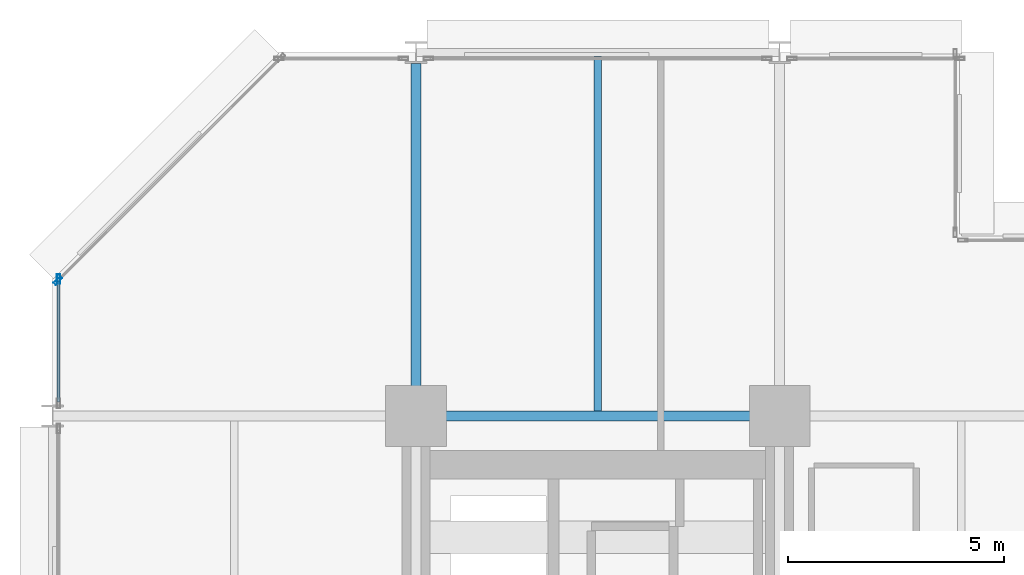
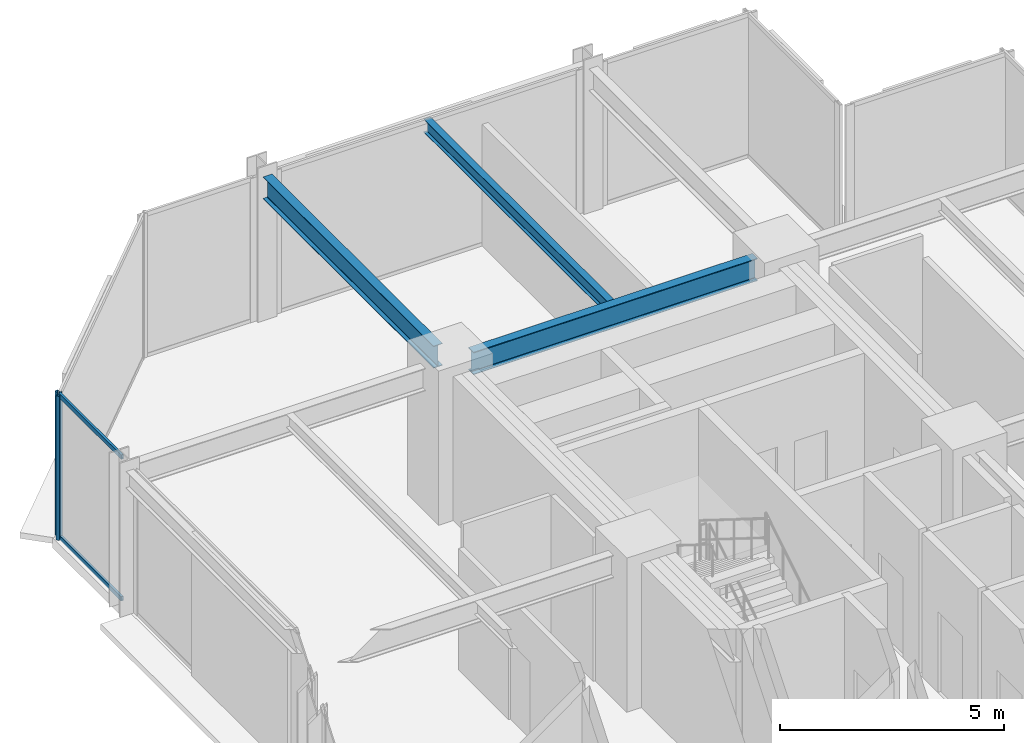
# One storey, part 15 of 25: 4 members, 3 beams, 2 elements without a shape of their own.
"""IFC4 building model written with IfcOpenShell, lengths in metres."""

import ifcopenshell
import ifcopenshell.guid

model = None  # the IFC model being written
_history = None  # IfcOwnerHistory: only IFC2X3 demands one
_inside = {}  # id of a spatial element -> (the spatial element, [elements in it])
_under = {}  # id of a project, library or spatial element -> (it, [spatial elements below it])
_declared = {}  # id of a project -> (the project, [libraries it declares])
_typed = {}  # id of a type object -> (the type object, [elements of that type])
_made_of = {}  # id of a material, layer set ... -> (it, [elements and type objects made of it])


def new_model(schema):
    """Start an empty IFC model of exactly this schema.

    Asked for "IFC4X3", IfcOpenShell would pick the latest addendum, in which some entities
    have other attributes; the version numbers below select the first issue.
    IFC2X3 requires an IfcOwnerHistory on every rooted entity: one is made here for all.
    """
    global model, _history
    if schema == "IFC4X3":
        model = ifcopenshell.file(schema_version=(4, 3, 0, 0))
    else:
        model = ifcopenshell.file(schema=schema)
    _inside.clear()
    _under.clear()
    _declared.clear()
    _typed.clear()
    _made_of.clear()
    _history = None
    if model.schema == "IFC2X3":
        org = make("IfcOrganization", Name="unknown")
        user = make(
            "IfcPersonAndOrganization",
            ThePerson=make("IfcPerson", FamilyName="unknown"),
            TheOrganization=org,
        )
        app = make(
            "IfcApplication",
            ApplicationDeveloper=org,
            Version="unknown",
            ApplicationFullName="unknown",
            ApplicationIdentifier="unknown",
        )
        _history = make(
            "IfcOwnerHistory",
            OwningUser=user,
            OwningApplication=app,
            ChangeAction="ADDED",
            CreationDate=0,
        )
    return model


def make(cls, **values):
    """One entity of the class cls with the attributes given. An attribute that is None is left unset."""
    return model.create_entity(
        cls, **{name: value for name, value in values.items() if value is not None}
    )


def rooted(cls, **values):
    """An entity with a GlobalId (a new one), such as an element, a storey or a relation."""
    return make(cls, GlobalId=ifcopenshell.guid.new(), OwnerHistory=_history, **values)


def si_unit(unit_type, name, prefix=None):
    """IfcSIUnit, for example si_unit("LENGTHUNIT", "METRE", prefix="MILLI")."""
    return make("IfcSIUnit", UnitType=unit_type, Prefix=prefix, Name=name)


def assignment(units):
    """IfcUnitAssignment: the units of a project."""
    return None if units is None else make("IfcUnitAssignment", Units=units)


def point(xyz):
    """IfcCartesianPoint."""
    return None if xyz is None else make("IfcCartesianPoint", Coordinates=xyz)


def direction(xyz):
    """IfcDirection."""
    return None if xyz is None else make("IfcDirection", DirectionRatios=xyz)


def frame(location, z_axis=None, x_axis=None):
    """IfcAxis2Placement3D, a coordinate frame: its origin and axes. An axis left out is left unset."""
    return make(
        "IfcAxis2Placement3D",
        Location=point(location),
        Axis=direction(z_axis),
        RefDirection=direction(x_axis),
    )


def frame_2d(location, x_axis=None):
    """IfcAxis2Placement2D, a coordinate frame in the plane: its origin and x axis."""
    return make(
        "IfcAxis2Placement2D", Location=point(location), RefDirection=direction(x_axis)
    )


def origin():
    """The frame at (0, 0, 0) with its axes left unset."""
    return frame((0.0, 0.0, 0.0))


def origin_2d():
    """The frame at (0, 0) in the plane with its x axis left unset."""
    return frame_2d((0.0, 0.0))


def place(relative_to, where):
    """IfcLocalPlacement: puts the frame where relative to a parent placement (None: the world)."""
    return make(
        "IfcLocalPlacement", PlacementRelTo=relative_to, RelativePlacement=where
    )


def context(
    kind, dimensions, precision=None, world=None, true_north=None, identifier=None
):
    """IfcGeometricRepresentationContext, for example the 3D "Model" context."""
    return make(
        "IfcGeometricRepresentationContext",
        ContextIdentifier=identifier,
        ContextType=kind,
        CoordinateSpaceDimension=dimensions,
        Precision=precision,
        WorldCoordinateSystem=world,
        TrueNorth=true_north,
    )


def subcontext(parent, identifier, kind, view, scale=None):
    """IfcGeometricRepresentationSubContext, for example "Body" below "Model"."""
    return make(
        "IfcGeometricRepresentationSubContext",
        ContextIdentifier=identifier,
        ContextType=kind,
        ParentContext=parent,
        TargetScale=scale,
        TargetView=view,
    )


def project(units=None, contexts=None):
    """IfcProject with its units and contexts."""
    return rooted(
        "IfcProject",
        Name="project",
        RepresentationContexts=contexts,
        UnitsInContext=assignment(units),
    )


def spatial(cls, under=None, at=None, **own):
    """A site, building, storey or space (cls), placed at a placement, below another one or the project."""
    s = rooted(cls, ObjectPlacement=at, **own)
    if under is not None:
        _under.setdefault(under.id(), (under, []))[1].append(s)
    return s


def profile(cls, at=None, kind="AREA", **sizes):
    """A parametric profile (cls). Its sizes go by their IFC names, for example OverallWidth=200.0."""
    return make(cls, ProfileType=kind, Position=at, **sizes)


def hollow_rectangle(**sizes):
    """IfcRectangleHollowProfileDef."""
    return profile("IfcRectangleHollowProfileDef", **sizes)


def i_section(**sizes):
    """IfcIShapeProfileDef."""
    return profile("IfcIShapeProfileDef", **sizes)


def extrude(swept, where, along, depth):
    """IfcExtrudedAreaSolid: the profile swept, set in the frame where, extruded along a direction by depth."""
    return make(
        "IfcExtrudedAreaSolid",
        SweptArea=swept,
        Position=where,
        ExtrudedDirection=direction(along),
        Depth=depth,
    )


def shape(context_of_items, identifier, shape_type, items):
    """IfcShapeRepresentation: the items that make up one representation, for example the "Body"."""
    return make(
        "IfcShapeRepresentation",
        ContextOfItems=context_of_items,
        RepresentationIdentifier=identifier,
        RepresentationType=shape_type,
        Items=items,
    )


def material(Name=None, Category=None):
    """IfcMaterial."""
    return make("IfcMaterial", Name=Name, Category=Category)


def layer(
    of_material, thickness, ventilated=None, Name=None, Category=None, Priority=None
):
    """IfcMaterialLayer: one layer of a wall or slab, of a material (None: an air gap)."""
    return make(
        "IfcMaterialLayer",
        Material=of_material,
        LayerThickness=thickness,
        IsVentilated=ventilated,
        Name=Name,
        Category=Category,
        Priority=Priority,
    )


def layer_set(layers, Name=None):
    """IfcMaterialLayerSet."""
    return make("IfcMaterialLayerSet", MaterialLayers=layers, LayerSetName=Name)


def material_profile(
    of_material, cross_section, Name=None, Category=None, Priority=None
):
    """IfcMaterialProfile: a cross section and its material."""
    return make(
        "IfcMaterialProfile",
        Name=Name,
        Material=of_material,
        Profile=cross_section,
        Priority=Priority,
        Category=Category,
    )


def profile_set(profiles, Name=None, composite=None):
    """IfcMaterialProfileSet."""
    return make(
        "IfcMaterialProfileSet",
        Name=Name,
        MaterialProfiles=profiles,
        CompositeProfile=composite,
    )


def made_of(thing, what):
    """Note that an element or type object is made of a material, layer set ...; save() writes the relation."""
    if what is not None:
        _made_of.setdefault(what.id(), (what, []))[1].append(thing)
    return thing


def type_object(cls, material=None, **own):
    """A type object (cls), such as IfcWallType, which elements share."""
    return made_of(rooted(cls, **own), material)


def element(
    cls,
    number,
    at=None,
    inside=None,
    cuts=None,
    type_object=None,
    material=None,
    context=None,
    identifier="Body",
    shape_type=None,
    held_by="IfcProductDefinitionShape",
    body=None,
    shapes=None,
    **own,
):
    """One element of the class cls, such as IfcWall. Its Tag is "e" and its number.

    at: its placement. inside: the storey or other place that contains it. cuts: it is an
    opening in that element (IfcRelVoidsElement). A single representation is given by context,
    identifier, shape_type and body (its items); several are given by shapes. held_by: the class
    of the entity that holds the representations. save() writes the other relations.
    """
    e = rooted(cls, Tag="e%d" % number, ObjectPlacement=at, **own)
    if body is not None:
        shapes = [shape(context, identifier, shape_type, body)]
    if shapes is not None:
        e.Representation = make(held_by, Representations=shapes)
    if inside is not None:
        _inside.setdefault(inside.id(), (inside, []))[1].append(e)
    if cuts is not None:
        rooted(
            "IfcRelVoidsElement", RelatingBuildingElement=cuts, RelatedOpeningElement=e
        )
    if type_object is not None:
        _typed.setdefault(type_object.id(), (type_object, []))[1].append(e)
    return made_of(e, material)


def aggregate(whole, parts):
    """IfcRelAggregates: a whole, such as a stair, and the parts it consists of."""
    return rooted("IfcRelAggregates", RelatingObject=whole, RelatedObjects=parts)


def save(model, path):
    """Write the relations noted so far, then the file.

    IfcRelAggregates (storeys below a building ...), IfcRelContainedInSpatialStructure (elements
    in a storey), IfcRelDefinesByType, IfcRelAssociatesMaterial and IfcRelDeclares: one each for
    every whole, place, type object, material and project.
    """
    for whole, parts in _under.values():
        aggregate(whole, parts)
    for where, things in _inside.values():
        rooted(
            "IfcRelContainedInSpatialStructure",
            RelatedElements=things,
            RelatingStructure=where,
        )
    for kind, things in _typed.values():
        rooted("IfcRelDefinesByType", RelatedObjects=things, RelatingType=kind)
    for what, things in _made_of.values():
        rooted("IfcRelAssociatesMaterial", RelatedObjects=things, RelatingMaterial=what)
    for by, libraries in _declared.values():
        rooted("IfcRelDeclares", RelatingContext=by, RelatedDefinitions=libraries)
    model.write(path)


model = new_model("IFC4")

# Units and contexts
model_context = context("Model", 3, precision=1e-05, world=origin(), true_north=direction((0.0, 1.0)))
body_context = subcontext(model_context, "Body", "Model", "MODEL_VIEW")
ifc_project = project(units=[si_unit("LENGTHUNIT", "METRE"), si_unit("AREAUNIT", "SQUARE_METRE"), si_unit("VOLUMEUNIT", "CUBIC_METRE"), si_unit("PLANEANGLEUNIT", "RADIAN"), si_unit("MASSUNIT", "GRAM", prefix="KILO")], contexts=[model_context])

# Site, building, storey
site_placement = place(None, origin())
site = spatial("IfcSite", under=ifc_project, at=site_placement, CompositionType="ELEMENT")
building_placement = place(site_placement, origin())
building = spatial("IfcBuilding", under=site, at=building_placement, Name="Nerrivon Quay Data Exchange", CompositionType="ELEMENT")
storey_placement = place(building_placement, frame((0.0, 0.0, 54.199951171875)))
storey = spatial("IfcBuildingStorey", under=building, at=storey_placement, Name="L12", CompositionType="ELEMENT", Elevation=54.199951171875)

# Beams
ifc_material_1 = material(Name="Steel Grade 350", Category="steel")
ifc_material_profile_1 = material_profile(ifc_material_1, i_section(OverallWidth=0.22900390625, OverallDepth=0.612060546875, WebThickness=0.011962890625, FlangeThickness=0.01953125, FilletRadius=0.013916015625, at=origin_2d()), Name="610UB125")
ifc_profile_set_1 = profile_set([ifc_material_profile_1], Name="Steel Grade 350")
beam_type_1 = type_object("IfcBeamType", Name="BM-G1-610UB125", PredefinedType="BEAM", material=ifc_profile_set_1)
beam_1_placement = place(storey_placement, frame((8.93994140625, 42.0, 3.619140625), z_axis=(1.0, 0.0, 0.0), x_axis=(0.0, 1.0, 0.0)))
element("IfcBeam", 1, at=beam_1_placement, inside=storey, type_object=beam_type_1, Name="L12 EW Girder Y=42.0 (8.4..16.8)", PredefinedType="BEAM", context=body_context, shape_type="SweptSolid", body=[
    extrude(i_section(OverallWidth=0.22900390625, OverallDepth=0.612060546875, WebThickness=0.011962890625, FlangeThickness=0.01953125, FilletRadius=0.013916015625, at=origin_2d()), origin(), (0.0, 0.0, 1.0), 7.320068359375),
])
ifc_material_profile_2 = material_profile(ifc_material_1, i_section(OverallWidth=0.22802734375, OverallDepth=0.60205078125, WebThickness=0.010498046875, FlangeThickness=0.014892578125, FilletRadius=0.013916015625, at=origin_2d()), Name="610UB101")
ifc_profile_set_2 = profile_set([ifc_material_profile_2], Name="Steel Grade 350")
beam_type_2 = type_object("IfcBeamType", Name="BM-G2-610UB101", PredefinedType="BEAM", material=ifc_profile_set_2)
beam_2_placement = place(storey_placement, frame((8.39990234375, 42.5400390625, 3.6240234375), z_axis=(0.0, 1.0, 0.0), x_axis=(-1.0, 0.0, 0.0)))
element("IfcBeam", 2, at=beam_2_placement, inside=storey, type_object=beam_type_2, Name="L12 NS Girder X=8.4 (42.0..50.4)", PredefinedType="BEAM", context=body_context, shape_type="SweptSolid", body=[
    extrude(i_section(OverallWidth=0.22802734375, OverallDepth=0.60205078125, WebThickness=0.010498046875, FlangeThickness=0.014892578125, FilletRadius=0.013916015625, at=origin_2d()), origin(), (0.0, 0.0, 1.0), 7.60986328125),
])
ifc_material_profile_3 = material_profile(ifc_material_1, i_section(OverallWidth=0.172119140625, OverallDepth=0.35888671875, WebThickness=0.008056640625, FlangeThickness=0.012939453125, FilletRadius=0.011474609375, at=origin_2d()), Name="360UB56.7")
ifc_profile_set_3 = profile_set([ifc_material_profile_3], Name="Steel Grade 350")
beam_type_3 = type_object("IfcBeamType", Name="BM-J3-360UB57", PredefinedType="JOIST", material=ifc_profile_set_3)
beam_3_placement = place(storey_placement, frame((12.60009765625, 42.114501953125, 3.74560546875), z_axis=(0.0, 1.0, 0.0), x_axis=(-1.0, 0.0, 0.0)))
element("IfcBeam", 3, at=beam_3_placement, inside=storey, type_object=beam_type_3, Name="L12 Secondary Joist X=12.6 (42.0..50.4)", PredefinedType="JOIST", context=body_context, shape_type="SweptSolid", body=[
    extrude(i_section(OverallWidth=0.172119140625, OverallDepth=0.35888671875, WebThickness=0.008056640625, FlangeThickness=0.012939453125, FilletRadius=0.011474609375, at=origin_2d()), origin(), (0.0, 0.0, 1.0), 8.1904296875),
])

# Curtain wall, member
ifc_material_2 = material(Name="Anodised aluminium 6063-T6", Category="aluminium")
ifc_layer = layer(ifc_material_2, 0.219970703125)
ifc_layer_set = layer_set([ifc_layer], Name="Anodised aluminium 6063-T6")
curtain_wall_type = type_object("IfcCurtainWallType", Name="CW-SYS-01", PredefinedType="NOTDEFINED", material=ifc_layer_set)
curtain_wall_1_placement = place(storey_placement, origin())
curtain_wall_1 = element("IfcCurtainWall", 4, at=curtain_wall_1_placement, inside=storey, type_object=curtain_wall_type, Name="L12 Unitised Curtain Wall 18", PredefinedType="NOTDEFINED")
ifc_material_profile_4 = material_profile(ifc_material_2, hollow_rectangle(XDim=0.074951171875, YDim=0.219970703125, WallThickness=0.00390625, at=origin_2d()), Name="ALU-MULL-220x75")
ifc_profile_set_4 = profile_set([ifc_material_profile_4], Name="Anodised aluminium 6063-T6")
member_type_1 = type_object("IfcMemberType", Name="CWM-220x75", PredefinedType="MULLION", material=ifc_profile_set_4)
member_1_placement = place(storey_placement, frame((0.139892578125, 45.16259765625, 0.0), z_axis=(0.0, 0.0, 1.0), x_axis=(-1.0, 0.0, 0.0)))
member_1 = element("IfcMember", 5, at=member_1_placement, type_object=member_type_1, Name="CW01 mullion 2", PredefinedType="MULLION", context=body_context, shape_type="SweptSolid", body=[
    extrude(hollow_rectangle(XDim=0.074951171875, YDim=0.219970703125, WallThickness=0.00390625, at=origin_2d()), origin(), (0.0, 0.0, 1.0), 3.925048828125),
])

curtain_wall_2_placement = place(storey_placement, origin())
curtain_wall_2 = element("IfcCurtainWall", 6, at=curtain_wall_2_placement, inside=storey, type_object=curtain_wall_type, Name="L12 Unitised Curtain Wall 19", PredefinedType="NOTDEFINED")
member_2_placement = place(storey_placement, frame((0.12548828125, 45.12744140625, 0.0), z_axis=(0.0, 0.0, 1.0), x_axis=(-0.707106781187, 0.707106781187, 0.0)))
member_2 = element("IfcMember", 7, at=member_2_placement, type_object=member_type_1, Name="CW01 mullion 1", PredefinedType="MULLION", context=body_context, shape_type="SweptSolid", body=[
    extrude(hollow_rectangle(XDim=0.074951171875, YDim=0.219970703125, WallThickness=0.00390625, at=origin_2d()), origin(), (0.0, 0.0, 1.0), 3.925048828125),
])
aggregate(curtain_wall_2, [member_2])

# Member
ifc_material_profile_5 = material_profile(ifc_material_2, hollow_rectangle(XDim=0.06005859375, YDim=0.1201171875, WallThickness=0.003173828125, at=origin_2d()), Name="ALU-TRAN-120x60")
ifc_profile_set_5 = profile_set([ifc_material_profile_5], Name="Anodised aluminium 6063-T6")
member_type_2 = type_object("IfcMemberType", Name="CWT-120x60", PredefinedType="USERDEFINED", material=ifc_profile_set_5)
member_3_placement = place(storey_placement, frame((0.139892578125, 42.324951171875, 0.032470703125), z_axis=(0.0, 1.0, 0.0), x_axis=(-1.0, 0.0, 0.0)))
member_3 = element("IfcMember", 8, at=member_3_placement, type_object=member_type_2, Name="CW01 transom 1.1", ObjectType="TRANSOM", PredefinedType="USERDEFINED", context=body_context, shape_type="SweptSolid", body=[
    extrude(hollow_rectangle(XDim=0.06005859375, YDim=0.1201171875, WallThickness=0.003173828125, at=origin_2d()), origin(), (0.0, 0.0, 1.0), 2.800048828125),
])

member_4_placement = place(storey_placement, frame((0.139892578125, 42.324951171875, 3.892578125), z_axis=(0.0, 1.0, 0.0), x_axis=(-1.0, 0.0, 0.0)))
member_4 = element("IfcMember", 9, at=member_4_placement, type_object=member_type_2, Name="CW01 transom 1.2", ObjectType="TRANSOM", PredefinedType="USERDEFINED", context=body_context, shape_type="SweptSolid", body=[
    extrude(hollow_rectangle(XDim=0.06005859375, YDim=0.1201171875, WallThickness=0.003173828125, at=origin_2d()), origin(), (0.0, 0.0, 1.0), 2.800048828125),
])

aggregate(curtain_wall_1, [member_1, member_3, member_4])

save(model, "model.ifc")
